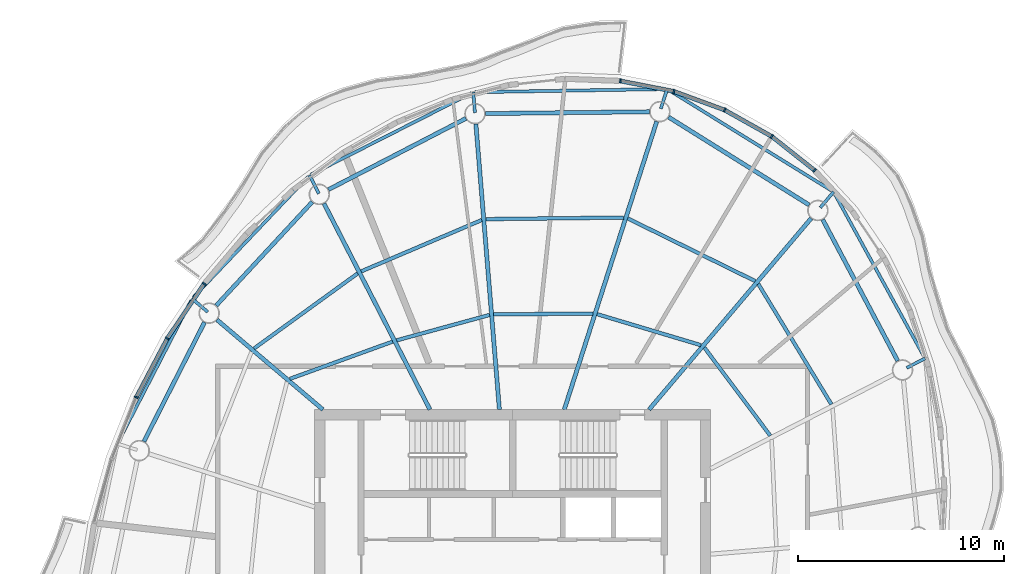
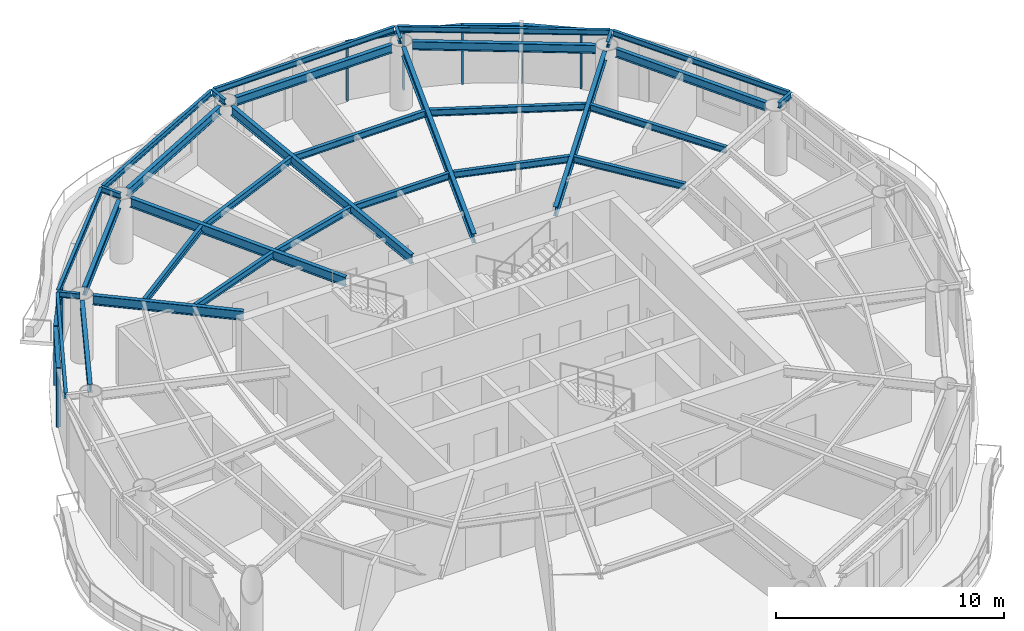
# One storey, part 5 of 13: 33 beams, 14 members, 7 elements without a shape of their own.
"""IFC4 building model written with IfcOpenShell, lengths in metres."""

import ifcopenshell
import ifcopenshell.guid

model = None  # the IFC model being written
_history = None  # IfcOwnerHistory: only IFC2X3 demands one
_inside = {}  # id of a spatial element -> (the spatial element, [elements in it])
_under = {}  # id of a project, library or spatial element -> (it, [spatial elements below it])
_declared = {}  # id of a project -> (the project, [libraries it declares])
_typed = {}  # id of a type object -> (the type object, [elements of that type])
_made_of = {}  # id of a material, layer set ... -> (it, [elements and type objects made of it])


def new_model(schema):
    """Start an empty IFC model of exactly this schema.

    Asked for "IFC4X3", IfcOpenShell would pick the latest addendum, in which some entities
    have other attributes; the version numbers below select the first issue.
    IFC2X3 requires an IfcOwnerHistory on every rooted entity: one is made here for all.
    """
    global model, _history
    if schema == "IFC4X3":
        model = ifcopenshell.file(schema_version=(4, 3, 0, 0))
    else:
        model = ifcopenshell.file(schema=schema)
    _inside.clear()
    _under.clear()
    _declared.clear()
    _typed.clear()
    _made_of.clear()
    _history = None
    if model.schema == "IFC2X3":
        org = make("IfcOrganization", Name="unknown")
        user = make(
            "IfcPersonAndOrganization",
            ThePerson=make("IfcPerson", FamilyName="unknown"),
            TheOrganization=org,
        )
        app = make(
            "IfcApplication",
            ApplicationDeveloper=org,
            Version="unknown",
            ApplicationFullName="unknown",
            ApplicationIdentifier="unknown",
        )
        _history = make(
            "IfcOwnerHistory",
            OwningUser=user,
            OwningApplication=app,
            ChangeAction="ADDED",
            CreationDate=0,
        )
    return model


def make(cls, **values):
    """One entity of the class cls with the attributes given. An attribute that is None is left unset."""
    return model.create_entity(
        cls, **{name: value for name, value in values.items() if value is not None}
    )


def rooted(cls, **values):
    """An entity with a GlobalId (a new one), such as an element, a storey or a relation."""
    return make(cls, GlobalId=ifcopenshell.guid.new(), OwnerHistory=_history, **values)


def si_unit(unit_type, name, prefix=None):
    """IfcSIUnit, for example si_unit("LENGTHUNIT", "METRE", prefix="MILLI")."""
    return make("IfcSIUnit", UnitType=unit_type, Prefix=prefix, Name=name)


def assignment(units):
    """IfcUnitAssignment: the units of a project."""
    return None if units is None else make("IfcUnitAssignment", Units=units)


def point(xyz):
    """IfcCartesianPoint."""
    return None if xyz is None else make("IfcCartesianPoint", Coordinates=xyz)


def direction(xyz):
    """IfcDirection."""
    return None if xyz is None else make("IfcDirection", DirectionRatios=xyz)


def frame(location, z_axis=None, x_axis=None):
    """IfcAxis2Placement3D, a coordinate frame: its origin and axes. An axis left out is left unset."""
    return make(
        "IfcAxis2Placement3D",
        Location=point(location),
        Axis=direction(z_axis),
        RefDirection=direction(x_axis),
    )


def frame_2d(location, x_axis=None):
    """IfcAxis2Placement2D, a coordinate frame in the plane: its origin and x axis."""
    return make(
        "IfcAxis2Placement2D", Location=point(location), RefDirection=direction(x_axis)
    )


def origin():
    """The frame at (0, 0, 0) with its axes left unset."""
    return frame((0.0, 0.0, 0.0))


def origin_2d():
    """The frame at (0, 0) in the plane with its x axis left unset."""
    return frame_2d((0.0, 0.0))


def place(relative_to, where):
    """IfcLocalPlacement: puts the frame where relative to a parent placement (None: the world)."""
    return make(
        "IfcLocalPlacement", PlacementRelTo=relative_to, RelativePlacement=where
    )


def context(
    kind, dimensions, precision=None, world=None, true_north=None, identifier=None
):
    """IfcGeometricRepresentationContext, for example the 3D "Model" context."""
    return make(
        "IfcGeometricRepresentationContext",
        ContextIdentifier=identifier,
        ContextType=kind,
        CoordinateSpaceDimension=dimensions,
        Precision=precision,
        WorldCoordinateSystem=world,
        TrueNorth=true_north,
    )


def subcontext(parent, identifier, kind, view, scale=None):
    """IfcGeometricRepresentationSubContext, for example "Body" below "Model"."""
    return make(
        "IfcGeometricRepresentationSubContext",
        ContextIdentifier=identifier,
        ContextType=kind,
        ParentContext=parent,
        TargetScale=scale,
        TargetView=view,
    )


def project(units=None, contexts=None):
    """IfcProject with its units and contexts."""
    return rooted(
        "IfcProject",
        Name="project",
        RepresentationContexts=contexts,
        UnitsInContext=assignment(units),
    )


def spatial(cls, under=None, at=None, **own):
    """A site, building, storey or space (cls), placed at a placement, below another one or the project."""
    s = rooted(cls, ObjectPlacement=at, **own)
    if under is not None:
        _under.setdefault(under.id(), (under, []))[1].append(s)
    return s


def profile(cls, at=None, kind="AREA", **sizes):
    """A parametric profile (cls). Its sizes go by their IFC names, for example OverallWidth=200.0."""
    return make(cls, ProfileType=kind, Position=at, **sizes)


def rectangle(**sizes):
    """IfcRectangleProfileDef."""
    return profile("IfcRectangleProfileDef", **sizes)


def i_section(**sizes):
    """IfcIShapeProfileDef."""
    return profile("IfcIShapeProfileDef", **sizes)


def extrude(swept, where, along, depth):
    """IfcExtrudedAreaSolid: the profile swept, set in the frame where, extruded along a direction by depth."""
    return make(
        "IfcExtrudedAreaSolid",
        SweptArea=swept,
        Position=where,
        ExtrudedDirection=direction(along),
        Depth=depth,
    )


def shape(context_of_items, identifier, shape_type, items):
    """IfcShapeRepresentation: the items that make up one representation, for example the "Body"."""
    return make(
        "IfcShapeRepresentation",
        ContextOfItems=context_of_items,
        RepresentationIdentifier=identifier,
        RepresentationType=shape_type,
        Items=items,
    )


def material(Name=None, Category=None):
    """IfcMaterial."""
    return make("IfcMaterial", Name=Name, Category=Category)


def material_profile(
    of_material, cross_section, Name=None, Category=None, Priority=None
):
    """IfcMaterialProfile: a cross section and its material."""
    return make(
        "IfcMaterialProfile",
        Name=Name,
        Material=of_material,
        Profile=cross_section,
        Priority=Priority,
        Category=Category,
    )


def profile_set(profiles, Name=None, composite=None):
    """IfcMaterialProfileSet."""
    return make(
        "IfcMaterialProfileSet",
        Name=Name,
        MaterialProfiles=profiles,
        CompositeProfile=composite,
    )


def made_of(thing, what):
    """Note that an element or type object is made of a material, layer set ...; save() writes the relation."""
    if what is not None:
        _made_of.setdefault(what.id(), (what, []))[1].append(thing)
    return thing


def type_object(cls, material=None, **own):
    """A type object (cls), such as IfcWallType, which elements share."""
    return made_of(rooted(cls, **own), material)


def element(
    cls,
    number,
    at=None,
    inside=None,
    cuts=None,
    type_object=None,
    material=None,
    context=None,
    identifier="Body",
    shape_type=None,
    held_by="IfcProductDefinitionShape",
    body=None,
    shapes=None,
    **own,
):
    """One element of the class cls, such as IfcWall. Its Tag is "e" and its number.

    at: its placement. inside: the storey or other place that contains it. cuts: it is an
    opening in that element (IfcRelVoidsElement). A single representation is given by context,
    identifier, shape_type and body (its items); several are given by shapes. held_by: the class
    of the entity that holds the representations. save() writes the other relations.
    """
    e = rooted(cls, Tag="e%d" % number, ObjectPlacement=at, **own)
    if body is not None:
        shapes = [shape(context, identifier, shape_type, body)]
    if shapes is not None:
        e.Representation = make(held_by, Representations=shapes)
    if inside is not None:
        _inside.setdefault(inside.id(), (inside, []))[1].append(e)
    if cuts is not None:
        rooted(
            "IfcRelVoidsElement", RelatingBuildingElement=cuts, RelatedOpeningElement=e
        )
    if type_object is not None:
        _typed.setdefault(type_object.id(), (type_object, []))[1].append(e)
    return made_of(e, material)


def aggregate(whole, parts):
    """IfcRelAggregates: a whole, such as a stair, and the parts it consists of."""
    return rooted("IfcRelAggregates", RelatingObject=whole, RelatedObjects=parts)


def save(model, path):
    """Write the relations noted so far, then the file.

    IfcRelAggregates (storeys below a building ...), IfcRelContainedInSpatialStructure (elements
    in a storey), IfcRelDefinesByType, IfcRelAssociatesMaterial and IfcRelDeclares: one each for
    every whole, place, type object, material and project.
    """
    for whole, parts in _under.values():
        aggregate(whole, parts)
    for where, things in _inside.values():
        rooted(
            "IfcRelContainedInSpatialStructure",
            RelatedElements=things,
            RelatingStructure=where,
        )
    for kind, things in _typed.values():
        rooted("IfcRelDefinesByType", RelatedObjects=things, RelatingType=kind)
    for what, things in _made_of.values():
        rooted("IfcRelAssociatesMaterial", RelatedObjects=things, RelatingMaterial=what)
    for by, libraries in _declared.values():
        rooted("IfcRelDeclares", RelatingContext=by, RelatedDefinitions=libraries)
    model.write(path)


model = new_model("IFC4")

# Units and contexts
model_context = context("Model", 3, precision=1e-05, world=origin(), true_north=direction((0.0, 1.0)))
body_context = subcontext(model_context, "Body", "Model", "MODEL_VIEW")
ifc_project = project(units=[si_unit("LENGTHUNIT", "METRE"), si_unit("AREAUNIT", "SQUARE_METRE"), si_unit("VOLUMEUNIT", "CUBIC_METRE"), si_unit("PLANEANGLEUNIT", "RADIAN"), si_unit("MASSUNIT", "GRAM", prefix="KILO")], contexts=[model_context])

# Site, building, storey
site_placement = place(None, origin())
site = spatial("IfcSite", under=ifc_project, at=site_placement, CompositionType="ELEMENT")
building_placement = place(site_placement, origin())
building = spatial("IfcBuilding", under=site, at=building_placement, Name="Vermilion Reach Broadcast Tower", CompositionType="ELEMENT")
storey_placement = place(building_placement, frame((0.0, 0.0, 293.699951171875)))
storey = spatial("IfcBuildingStorey", under=building, at=storey_placement, Name="L73", CompositionType="ELEMENT", Elevation=293.699951171875)

# Beams
ifc_material_1 = material(Name="Steel S355J2", Category="steel")
ifc_material_profile_1 = material_profile(ifc_material_1, i_section(OverallWidth=0.14990234375, OverallDepth=0.300048828125, WebThickness=0.006591796875, FlangeThickness=0.009033203125, at=origin_2d()), Name="S355J2 HN 300x150x6.5x9")
ifc_profile_set_1 = profile_set([ifc_material_profile_1], Name="Steel S355J2")
beam_type_1 = type_object("IfcBeamType", Name="EB5 HN 300x150x6.5x9", PredefinedType="BEAM", material=ifc_profile_set_1)
beam_1_placement = place(storey_placement, frame((1.41162109375, 23.34375, 3.300048828125), z_axis=(-0.999865186083, -0.016419794745, 0.0), x_axis=(0.016419794745, -0.999865186083, 0.0)))
element("IfcBeam", 1, at=beam_1_placement, inside=storey, type_object=beam_type_1, Name="Edge beam EB5-01", PredefinedType="BEAM", context=body_context, shape_type="SweptSolid", body=[
    extrude(i_section(OverallWidth=0.14990234375, OverallDepth=0.300048828125, WebThickness=0.006591796875, FlangeThickness=0.009033203125, at=origin_2d()), origin(), (0.0, 0.0, 1.0), 9.248291015625),
])
beam_2_placement = place(storey_placement, frame((-7.98291015625, 23.154052734375, 3.300048828125), z_axis=(-0.891743525045, -0.452541142373, 0.0), x_axis=(0.452541142373, -0.891743525045, 0.0)))
element("IfcBeam", 2, at=beam_2_placement, inside=storey, type_object=beam_type_1, Name="Edge beam EB5-02", PredefinedType="BEAM", context=body_context, shape_type="SweptSolid", body=[
    extrude(i_section(OverallWidth=0.14990234375, OverallDepth=0.300048828125, WebThickness=0.006591796875, FlangeThickness=0.009033203125, at=origin_2d()), origin(), (0.0, 0.0, 1.0), 8.748779296875),
])
beam_3_placement = place(storey_placement, frame((-15.90625, 19.103271484375, 3.300048828125), z_axis=(-0.689371520308, -0.724407969992, 0.0), x_axis=(0.724407969992, -0.689371520308, 0.0)))
element("IfcBeam", 3, at=beam_3_placement, inside=storey, type_object=beam_type_1, Name="Edge beam EB5-03", PredefinedType="BEAM", context=body_context, shape_type="SweptSolid", body=[
    extrude(i_section(OverallWidth=0.14990234375, OverallDepth=0.300048828125, WebThickness=0.006591796875, FlangeThickness=0.009033203125, at=origin_2d()), origin(), (0.0, 0.0, 1.0), 8.10400390625),
])
beam_4_placement = place(storey_placement, frame((-21.579833984375, 13.109619140625, 3.300048828125), z_axis=(-0.457912851877, -0.888997086658, 0.0), x_axis=(0.888997086658, -0.457912851877, 0.0)))
element("IfcBeam", 4, at=beam_4_placement, inside=storey, type_object=beam_type_1, Name="Edge beam EB5-04", PredefinedType="BEAM", context=body_context, shape_type="SweptSolid", body=[
    extrude(i_section(OverallWidth=0.14990234375, OverallDepth=0.300048828125, WebThickness=0.006591796875, FlangeThickness=0.009033203125, at=origin_2d()), origin(), (0.0, 0.0, 1.0), 7.753173828125),
])
beam_5_placement = place(storey_placement, frame((13.9609375, 10.34716796875, 3.300048828125), z_axis=(-0.481307136506, 0.87655201805, 0.0), x_axis=(-0.87655201805, -0.481307136506, 0.0)))
element("IfcBeam", 5, at=beam_5_placement, inside=storey, type_object=beam_type_1, Name="Edge beam EB5-15", PredefinedType="BEAM", context=body_context, shape_type="SweptSolid", body=[
    extrude(i_section(OverallWidth=0.14990234375, OverallDepth=0.300048828125, WebThickness=0.006591796875, FlangeThickness=0.009033203125, at=origin_2d()), origin(), (0.0, 0.0, 1.0), 9.057861328125),
])
beam_6_placement = place(storey_placement, frame((9.498046875, 18.397216796875, 3.300048828125), z_axis=(-0.850697910061, 0.525654892318, 0.0), x_axis=(-0.525654892318, -0.850697910061, 0.0)))
element("IfcBeam", 6, at=beam_6_placement, inside=storey, type_object=beam_type_1, Name="Edge beam EB5-16", PredefinedType="BEAM", context=body_context, shape_type="SweptSolid", body=[
    extrude(i_section(OverallWidth=0.14990234375, OverallDepth=0.300048828125, WebThickness=0.006591796875, FlangeThickness=0.009033203125, at=origin_2d()), origin(), (0.0, 0.0, 1.0), 9.33544921875),
])
ifc_material_2 = material(Name="Steel S355J2", Category="steel")
ifc_material_profile_2 = material_profile(ifc_material_2, i_section(OverallWidth=0.199951171875, OverallDepth=0.5, WebThickness=0.010009765625, FlangeThickness=0.01611328125, at=origin_2d()), Name="S355J2 HN 500x200x10x16")
ifc_profile_set_2 = profile_set([ifc_material_profile_2], Name="Steel S355J2")
beam_type_2 = type_object("IfcBeamType", Name="G5 HN 500x200x10x16", PredefinedType="BEAM", material=ifc_profile_set_2)
beam_7_placement = place(storey_placement, frame((-3.497314453125, 7.800048828125, 3.199951171875), z_axis=(0.305545401295, 0.952177508528, 0.0), x_axis=(-0.952177508528, 0.305545401295, 0.0)))
element("IfcBeam", 7, at=beam_7_placement, inside=storey, type_object=beam_type_2, Name="Girder G5-01", PredefinedType="BEAM", context=body_context, shape_type="SweptSolid", body=[
    extrude(i_section(OverallWidth=0.199951171875, OverallDepth=0.5, WebThickness=0.010009765625, FlangeThickness=0.01611328125, at=origin_2d()), origin(), (0.0, 0.0, 1.0), 14.672607421875),
])
beam_8_placement = place(storey_placement, frame((-6.642578125, 7.800048828125, 3.199951171875), z_axis=(-0.082123744247, 0.996622140347, 0.0), x_axis=(-0.996622140347, -0.082123744247, 0.0)))
element("IfcBeam", 8, at=beam_8_placement, inside=storey, type_object=beam_type_2, Name="Girder G5-02", PredefinedType="BEAM", context=body_context, shape_type="SweptSolid", body=[
    extrude(i_section(OverallWidth=0.199951171875, OverallDepth=0.5, WebThickness=0.010009765625, FlangeThickness=0.01611328125, at=origin_2d()), origin(), (0.0, 0.0, 1.0), 13.89794921875),
])
beam_9_placement = place(storey_placement, frame((-10.010498046875, 7.800048828125, 3.199951171875), z_axis=(-0.457258168112, 0.889334002327, 0.0), x_axis=(-0.889334002327, -0.457258168112, 0.0)))
element("IfcBeam", 9, at=beam_9_placement, inside=storey, type_object=beam_type_2, Name="Girder G5-03", PredefinedType="BEAM", context=body_context, shape_type="SweptSolid", body=[
    extrude(i_section(OverallWidth=0.199951171875, OverallDepth=0.5, WebThickness=0.010009765625, FlangeThickness=0.01611328125, at=origin_2d()), origin(), (0.0, 0.0, 1.0), 11.236328125),
])
beam_10_placement = place(storey_placement, frame((-15.20068359375, 7.800048828125, 3.199951171875), z_axis=(-0.762793125612, 0.646642596431, 0.0), x_axis=(-0.646642596431, -0.762793125612, 0.0)))
element("IfcBeam", 10, at=beam_10_placement, inside=storey, type_object=beam_type_2, Name="Girder G5-04", PredefinedType="BEAM", context=body_context, shape_type="SweptSolid", body=[
    extrude(i_section(OverallWidth=0.199951171875, OverallDepth=0.5, WebThickness=0.010009765625, FlangeThickness=0.01611328125, at=origin_2d()), origin(), (0.0, 0.0, 1.0), 6.732421875),
])
beam_11_placement = place(storey_placement, frame((0.612548828125, 7.800048828125, 3.199951171875), z_axis=(0.646658335602, 0.762779782766, 0.0), x_axis=(-0.762779782766, 0.646658335602, 0.0)))
element("IfcBeam", 11, at=beam_11_placement, inside=storey, type_object=beam_type_2, Name="Girder G5-16", PredefinedType="BEAM", context=body_context, shape_type="SweptSolid", body=[
    extrude(i_section(OverallWidth=0.199951171875, OverallDepth=0.5, WebThickness=0.010009765625, FlangeThickness=0.01611328125, at=origin_2d()), origin(), (0.0, 0.0, 1.0), 12.16064453125),
])
ifc_material_3 = material(Name="Steel S355J2", Category="steel")
ifc_material_profile_3 = material_profile(ifc_material_3, i_section(OverallWidth=0.14990234375, OverallDepth=0.300048828125, WebThickness=0.006591796875, FlangeThickness=0.009033203125, at=origin_2d()), Name="S355J2 HN 300x150x6.5x9")
ifc_profile_set_3 = profile_set([ifc_material_profile_3], Name="Steel S355J2")
beam_type_3 = type_object("IfcBeamType", Name="GS5 HN 300x150x6.5x9", PredefinedType="BEAM", material=ifc_profile_set_3)
for number, where, z_axis, x_axis, name in (
    (12, (1.185302734375, 22.392822265625, 3.300048828125), (0.305440085295, 0.952211297084, 0.0), (-0.952211297084, 0.305440085295, 0.0), "Cantilever stub GS5-01"),
    (13, (-7.82861328125, 22.194091796875, 3.300048828125), (-0.082035152054, 0.996629436565, 0.0), (-0.996629436565, -0.082035152054, 0.0), "Cantilever stub GS5-02"),
    (14, (-15.394287109375, 18.271484375, 3.300048828125), (-0.457243204998, 0.889341695572, 0.0), (-0.889341695572, -0.457243204998, 0.0), "Cantilever stub GS5-03"),
):
    element("IfcBeam", number, at=place(storey_placement, frame(where, z_axis=z_axis, x_axis=x_axis)), inside=storey, type_object=beam_type_3, Name=name, PredefinedType="BEAM", context=body_context, shape_type="SweptSolid", body=[
        extrude(i_section(OverallWidth=0.14990234375, OverallDepth=0.300048828125, WebThickness=0.006591796875, FlangeThickness=0.009033203125, at=origin_2d()), origin(), (0.0, 0.0, 1.0), 1.0),
    ])
beam_12_placement = place(storey_placement, frame((-20.78173828125, 12.531494140625, 3.300048828125), z_axis=(-0.762811928474, 0.646620415529, 0.0), x_axis=(-0.646620415529, -0.762811928474, 0.0)))
element("IfcBeam", 15, at=beam_12_placement, inside=storey, type_object=beam_type_3, Name="Cantilever stub GS5-04", PredefinedType="BEAM", context=body_context, shape_type="SweptSolid", body=[
    extrude(i_section(OverallWidth=0.14990234375, OverallDepth=0.300048828125, WebThickness=0.006591796875, FlangeThickness=0.009033203125, at=origin_2d()), origin(), (0.0, 0.0, 1.0), 1.000244140625),
])
beam_13_placement = place(storey_placement, frame((13.107666015625, 9.82421875, 3.300048828125), z_axis=(0.889341695572, 0.457243204998, 0.0), x_axis=(-0.457243204998, 0.889341695572, 0.0)))
element("IfcBeam", 16, at=beam_13_placement, inside=storey, type_object=beam_type_3, Name="Cantilever stub GS5-15", PredefinedType="BEAM", context=body_context, shape_type="SweptSolid", body=[
    extrude(i_section(OverallWidth=0.14990234375, OverallDepth=0.300048828125, WebThickness=0.006591796875, FlangeThickness=0.009033203125, at=origin_2d()), origin(), (0.0, 0.0, 1.0), 1.0),
])
beam_14_placement = place(storey_placement, frame((8.916015625, 17.594482421875, 3.300048828125), z_axis=(0.646620415529, 0.762811928474, 0.0), x_axis=(-0.762811928474, 0.646620415529, 0.0)))
element("IfcBeam", 17, at=beam_14_placement, inside=storey, type_object=beam_type_3, Name="Cantilever stub GS5-16", PredefinedType="BEAM", context=body_context, shape_type="SweptSolid", body=[
    extrude(i_section(OverallWidth=0.14990234375, OverallDepth=0.300048828125, WebThickness=0.006591796875, FlangeThickness=0.009033203125, at=origin_2d()), origin(), (0.0, 0.0, 1.0), 1.000244140625),
])
ifc_material_4 = material(Name="Steel S355J2", Category="steel")
ifc_material_profile_4 = material_profile(ifc_material_4, i_section(OverallWidth=0.199951171875, OverallDepth=0.449951171875, WebThickness=0.009033203125, FlangeThickness=0.013916015625, at=origin_2d()), Name="S355J2 HN 450x200x9x14")
ifc_profile_set_4 = profile_set([ifc_material_profile_4], Name="Steel S355J2")
beam_type_4 = type_object("IfcBeamType", Name="RB5 HN 450x200x9x14", PredefinedType="BEAM", material=ifc_profile_set_4)
beam_15_placement = place(storey_placement, frame((0.638427734375, 22.24169921875, 3.22509765625), z_axis=(-0.999940445231, -0.010913569149, 0.0), x_axis=(0.010913569149, -0.999940445231, 0.0)))
element("IfcBeam", 18, at=beam_15_placement, inside=storey, type_object=beam_type_4, Name="Ring beam RB5-01", PredefinedType="BEAM", context=body_context, shape_type="SweptSolid", body=[
    extrude(i_section(OverallWidth=0.199951171875, OverallDepth=0.449951171875, WebThickness=0.009033203125, FlangeThickness=0.013916015625, at=origin_2d()), origin(), (0.0, 0.0, 1.0), 7.9638671875),
])
beam_16_placement = place(storey_placement, frame((-8.268798828125, 21.91943359375, 3.22509765625), z_axis=(-0.887960248279, -0.459920207729, 0.0), x_axis=(0.459920207729, -0.887960248279, 0.0)))
element("IfcBeam", 19, at=beam_16_placement, inside=storey, type_object=beam_type_4, Name="Ring beam RB5-02", PredefinedType="BEAM", context=body_context, shape_type="SweptSolid", body=[
    extrude(i_section(OverallWidth=0.199951171875, OverallDepth=0.449951171875, WebThickness=0.009033203125, FlangeThickness=0.013916015625, at=origin_2d()), origin(), (0.0, 0.0, 1.0), 7.5048828125),
])
beam_17_placement = place(storey_placement, frame((-15.716796875, 17.87109375, 3.22509765625), z_axis=(-0.679837550075, -0.733362738014, 0.0), x_axis=(0.733362738014, -0.679837550075, 0.0)))
element("IfcBeam", 20, at=beam_17_placement, inside=storey, type_object=beam_type_4, Name="Ring beam RB5-03", PredefinedType="BEAM", context=body_context, shape_type="SweptSolid", body=[
    extrude(i_section(OverallWidth=0.199951171875, OverallDepth=0.449951171875, WebThickness=0.009033203125, FlangeThickness=0.013916015625, at=origin_2d()), origin(), (0.0, 0.0, 1.0), 6.85546875),
])
beam_18_placement = place(storey_placement, frame((-20.944091796875, 12.03125, 3.22509765625), z_axis=(-0.453052302855, -0.891483937532, 0.0), x_axis=(0.891483937532, -0.453052302855, 0.0)))
element("IfcBeam", 21, at=beam_18_placement, inside=storey, type_object=beam_type_4, Name="Ring beam RB5-04", PredefinedType="BEAM", context=body_context, shape_type="SweptSolid", body=[
    extrude(i_section(OverallWidth=0.199951171875, OverallDepth=0.449951171875, WebThickness=0.009033203125, FlangeThickness=0.013916015625, at=origin_2d()), origin(), (0.0, 0.0, 1.0), 6.47900390625),
])
beam_19_placement = place(storey_placement, frame((12.671142578125, 10.161865234375, 3.22509765625), z_axis=(-0.468767917375, 0.883321368269, 0.0), x_axis=(-0.883321368269, -0.468767917375, 0.0)))
element("IfcBeam", 22, at=beam_19_placement, inside=storey, type_object=beam_type_4, Name="Ring beam RB5-15", PredefinedType="BEAM", context=body_context, shape_type="SweptSolid", body=[
    extrude(i_section(OverallWidth=0.199951171875, OverallDepth=0.449951171875, WebThickness=0.009033203125, FlangeThickness=0.013916015625, at=origin_2d()), origin(), (0.0, 0.0, 1.0), 7.759033203125),
])
beam_20_placement = place(storey_placement, frame((8.375732421875, 17.722412109375, 3.22509765625), z_axis=(-0.847914653245, 0.530132757724, 0.0), x_axis=(-0.530132757724, -0.847914653245, 0.0)))
element("IfcBeam", 23, at=beam_20_placement, inside=storey, type_object=beam_type_4, Name="Ring beam RB5-16", PredefinedType="BEAM", context=body_context, shape_type="SweptSolid", body=[
    extrude(i_section(OverallWidth=0.199951171875, OverallDepth=0.449951171875, WebThickness=0.009033203125, FlangeThickness=0.013916015625, at=origin_2d()), origin(), (0.0, 0.0, 1.0), 8.035400390625),
])
ifc_material_5 = material(Name="Steel S355J2", Category="steel")
ifc_material_profile_5 = material_profile(ifc_material_5, i_section(OverallWidth=0.175048828125, OverallDepth=0.35009765625, WebThickness=0.007080078125, FlangeThickness=0.010986328125, at=origin_2d()), Name="S355J2 HN 350x175x7x11")
ifc_profile_set_5 = profile_set([ifc_material_profile_5], Name="Steel S355J2")
beam_type_5 = type_object("IfcBeamType", Name="SB5 HN 350x175x7x11", PredefinedType="BEAM", material=ifc_profile_set_5)
beam_21_placement = place(storey_placement, frame((-2.108154296875, 12.4560546875, 3.275146484375), z_axis=(-0.999968312294, -0.007960804474, 0.0), x_axis=(0.007960804474, -0.999968312294, 0.0)))
element("IfcBeam", 24, at=beam_21_placement, inside=storey, type_object=beam_type_5, Name="Secondary beam SB5-01-1", PredefinedType="BEAM", context=body_context, shape_type="SweptSolid", body=[
    extrude(i_section(OverallWidth=0.175048828125, OverallDepth=0.35009765625, WebThickness=0.007080078125, FlangeThickness=0.010986328125, at=origin_2d()), origin(), (0.0, 0.0, 1.0), 4.81494140625),
])
beam_22_placement = place(storey_placement, frame((-0.614013671875, 17.11279296875, 3.275146484375), z_axis=(-0.999932654133, -0.011605481368, 0.0), x_axis=(0.011605481368, -0.999932654133, 0.0)))
element("IfcBeam", 25, at=beam_22_placement, inside=storey, type_object=beam_type_5, Name="Secondary beam SB5-01-2", PredefinedType="BEAM", context=body_context, shape_type="SweptSolid", body=[
    extrude(i_section(OverallWidth=0.175048828125, OverallDepth=0.35009765625, WebThickness=0.007080078125, FlangeThickness=0.010986328125, at=origin_2d()), origin(), (0.0, 0.0, 1.0), 6.689697265625),
])
beam_23_placement = place(storey_placement, frame((-7.12109375, 12.39013671875, 3.275146484375), z_axis=(-0.964547496851, -0.263909314573, 0.0), x_axis=(0.263909314573, -0.964547496851, 0.0)))
element("IfcBeam", 26, at=beam_23_placement, inside=storey, type_object=beam_type_5, Name="Secondary beam SB5-02-1", PredefinedType="BEAM", context=body_context, shape_type="SweptSolid", body=[
    extrude(i_section(OverallWidth=0.175048828125, OverallDepth=0.35009765625, WebThickness=0.007080078125, FlangeThickness=0.010986328125, at=origin_2d()), origin(), (0.0, 0.0, 1.0), 4.6689453125),
])
beam_24_placement = place(storey_placement, frame((-7.50048828125, 16.99267578125, 3.275146484375), z_axis=(-0.919880986172, -0.392197617637, 0.0), x_axis=(0.392197617637, -0.919880986172, 0.0)))
element("IfcBeam", 27, at=beam_24_placement, inside=storey, type_object=beam_type_5, Name="Secondary beam SB5-02-2", PredefinedType="BEAM", context=body_context, shape_type="SweptSolid", body=[
    extrude(i_section(OverallWidth=0.175048828125, OverallDepth=0.35009765625, WebThickness=0.007080078125, FlangeThickness=0.010986328125, at=origin_2d()), origin(), (0.0, 0.0, 1.0), 6.351806640625),
])
beam_25_placement = place(storey_placement, frame((-11.81787109375, 11.0966796875, 3.275146484375), z_axis=(-0.940220108875, -0.340567389613, 0.0), x_axis=(0.340567389613, -0.940220108875, 0.0)))
element("IfcBeam", 28, at=beam_25_placement, inside=storey, type_object=beam_type_5, Name="Secondary beam SB5-03-1", PredefinedType="BEAM", context=body_context, shape_type="SweptSolid", body=[
    extrude(i_section(OverallWidth=0.175048828125, OverallDepth=0.35009765625, WebThickness=0.007080078125, FlangeThickness=0.010986328125, at=origin_2d()), origin(), (0.0, 0.0, 1.0), 5.303466796875),
])
beam_26_placement = place(storey_placement, frame((-13.517578125, 14.402587890625, 3.275146484375), z_axis=(-0.809771251518, -0.586745703192, 0.0), x_axis=(0.586745703192, -0.809771251518, 0.0)))
element("IfcBeam", 29, at=beam_26_placement, inside=storey, type_object=beam_type_5, Name="Secondary beam SB5-03-2", PredefinedType="BEAM", context=body_context, shape_type="SweptSolid", body=[
    extrude(i_section(OverallWidth=0.175048828125, OverallDepth=0.35009765625, WebThickness=0.007080078125, FlangeThickness=0.010986328125, at=origin_2d()), origin(), (0.0, 0.0, 1.0), 6.20361328125),
])
beam_27_placement = place(storey_placement, frame((6.492919921875, 6.53564453125, 3.275146484375), z_axis=(-0.599055582645, 0.800707442767, 0.0), x_axis=(-0.800707442767, -0.599055582645, 0.0)))
element("IfcBeam", 30, at=beam_27_placement, inside=storey, type_object=beam_type_5, Name="Secondary beam SB5-15-1", PredefinedType="BEAM", context=body_context, shape_type="SweptSolid", body=[
    extrude(i_section(OverallWidth=0.175048828125, OverallDepth=0.35009765625, WebThickness=0.007080078125, FlangeThickness=0.010986328125, at=origin_2d()), origin(), (0.0, 0.0, 1.0), 5.337890625),
])
beam_28_placement = place(storey_placement, frame((9.455078125, 8.058837890625, 3.275146484375), z_axis=(-0.519272962556, 0.854608442714, 0.0), x_axis=(-0.854608442714, -0.519272962556, 0.0)))
element("IfcBeam", 31, at=beam_28_placement, inside=storey, type_object=beam_type_5, Name="Secondary beam SB5-15-2", PredefinedType="BEAM", context=body_context, shape_type="SweptSolid", body=[
    extrude(i_section(OverallWidth=0.175048828125, OverallDepth=0.35009765625, WebThickness=0.007080078125, FlangeThickness=0.010986328125, at=origin_2d()), origin(), (0.0, 0.0, 1.0), 6.82763671875),
])
beam_29_placement = place(storey_placement, frame((3.129150390625, 10.92333984375, 3.275146484375), z_axis=(-0.958124906971, 0.286350593925, 0.0), x_axis=(-0.286350593925, -0.958124906971, 0.0)))
element("IfcBeam", 32, at=beam_29_placement, inside=storey, type_object=beam_type_5, Name="Secondary beam SB5-16-1", PredefinedType="BEAM", context=body_context, shape_type="SweptSolid", body=[
    extrude(i_section(OverallWidth=0.175048828125, OverallDepth=0.35009765625, WebThickness=0.007080078125, FlangeThickness=0.010986328125, at=origin_2d()), origin(), (0.0, 0.0, 1.0), 5.25634765625),
])
beam_30_placement = place(storey_placement, frame((5.762451171875, 14.029541015625, 3.275146484375), z_axis=(-0.897335928087, 0.441348198325, 0.0), x_axis=(-0.441348198325, -0.897335928087, 0.0)))
element("IfcBeam", 33, at=beam_30_placement, inside=storey, type_object=beam_type_5, Name="Secondary beam SB5-16-2", PredefinedType="BEAM", context=body_context, shape_type="SweptSolid", body=[
    extrude(i_section(OverallWidth=0.175048828125, OverallDepth=0.35009765625, WebThickness=0.007080078125, FlangeThickness=0.010986328125, at=origin_2d()), origin(), (0.0, 0.0, 1.0), 6.887451171875),
])

# Curtain wall, member
ifc_material_6 = material(Name="Low-e laminated clear glass in aluminium frame", Category="aluminium")
curtain_wall_type = type_object("IfcCurtainWallType", Name="Slot curtain wall", PredefinedType="NOTDEFINED", material=ifc_material_6)
placement = place(storey_placement, origin())
curtain_wall_1 = element("IfcCurtainWall", 34, at=placement, inside=storey, type_object=curtain_wall_type, Name="Slot curtain wall L73 46", PredefinedType="NOTDEFINED")
ifc_material_7 = material(Name="Anodised aluminium", Category="aluminium")
ifc_material_profile_6 = material_profile(ifc_material_7, rectangle(XDim=0.199951171875, YDim=0.080078125, at=origin_2d()), Name="Slot mullion 80 x 200")
ifc_profile_set_6 = profile_set([ifc_material_profile_6], Name="Anodised aluminium")
member_type_1 = type_object("IfcMemberType", Name="Slot mullion 80 x 200", PredefinedType="MULLION", material=ifc_profile_set_6)
member_1_placement = place(storey_placement, frame((8.638671875, 19.402587890625, 0.0), z_axis=(0.0, 0.0, 1.0), x_axis=(-0.679358210005, -0.733806801889, 0.0)))
member_1 = element("IfcMember", 35, at=member_1_placement, type_object=member_type_1, Name="Slot mullion L73 46", PredefinedType="MULLION", context=body_context, shape_type="SweptSolid", body=[
    extrude(rectangle(XDim=0.199951171875, YDim=0.080078125, at=origin_2d()), origin(), (0.0, 0.0, 1.0), 3.150146484375),
])

curtain_wall_2 = element("IfcCurtainWall", 36, at=placement, inside=storey, type_object=curtain_wall_type, Name="Slot curtain wall L73 47", PredefinedType="NOTDEFINED")
member_2_placement = place(storey_placement, frame((6.565185546875, 21.0439453125, 0.0), z_axis=(0.0, 0.0, 1.0), x_axis=(-0.556714945931, -0.83070359875, 0.0)))
member_2 = element("IfcMember", 37, at=member_2_placement, type_object=member_type_1, Name="Slot mullion L73 47", PredefinedType="MULLION", context=body_context, shape_type="SweptSolid", body=[
    extrude(rectangle(XDim=0.199951171875, YDim=0.080078125, at=origin_2d()), origin(), (0.0, 0.0, 1.0), 3.150146484375),
])

curtain_wall_3 = element("IfcCurtainWall", 38, at=placement, inside=storey, type_object=curtain_wall_type, Name="Slot curtain wall L73 00", PredefinedType="NOTDEFINED")
member_3_placement = place(storey_placement, frame((4.278564453125, 22.326904296875, 0.0), z_axis=(0.0, 0.0, 1.0), x_axis=(-0.4181841801, -0.908362257865, 0.0)))
member_3 = element("IfcMember", 39, at=member_3_placement, type_object=member_type_1, Name="Slot mullion L73 00", PredefinedType="MULLION", context=body_context, shape_type="SweptSolid", body=[
    extrude(rectangle(XDim=0.199951171875, YDim=0.080078125, at=origin_2d()), origin(), (0.0, 0.0, 1.0), 3.150146484375),
])

# Curtain wall, members
curtain_wall_4 = element("IfcCurtainWall", 40, at=placement, inside=storey, type_object=curtain_wall_type, Name="Slot curtain wall L73 01", PredefinedType="NOTDEFINED")
member_4_placement = place(storey_placement, frame((1.817138671875, 23.229736328125, 0.0), z_axis=(0.0, 0.0, 1.0), x_axis=(-0.269106194927, -0.963110510716, 0.0)))
member_4 = element("IfcMember", 41, at=member_4_placement, type_object=member_type_1, Name="Slot mullion L73 01", PredefinedType="MULLION", context=body_context, shape_type="SweptSolid", body=[
    extrude(rectangle(XDim=0.199951171875, YDim=0.080078125, at=origin_2d()), origin(), (0.0, 0.0, 1.0), 3.150146484375),
])
member_5_placement = place(storey_placement, frame((-0.778076171875, 23.73779296875, 0.0), z_axis=(0.0, 0.0, 1.0), x_axis=(-0.115743146595, -0.993279177279, 0.0)))
member_5 = element("IfcMember", 42, at=member_5_placement, type_object=member_type_1, Name="Slot mullion L73 02", PredefinedType="MULLION", context=body_context, shape_type="SweptSolid", body=[
    extrude(rectangle(XDim=0.199951171875, YDim=0.080078125, at=origin_2d()), origin(), (0.0, 0.0, 1.0), 3.150146484375),
])

# Curtain wall, member
curtain_wall_5 = element("IfcCurtainWall", 43, at=placement, inside=storey, type_object=curtain_wall_type, Name="Slot curtain wall L73 10", PredefinedType="NOTDEFINED")
member_6_placement = place(storey_placement, frame((-20.955810546875, 13.9033203125, 0.0), z_axis=(0.0, 0.0, 1.0), x_axis=(0.797362979474, -0.603500023996, 0.0)))
member_6 = element("IfcMember", 44, at=member_6_placement, type_object=member_type_1, Name="Slot mullion L73 10", PredefinedType="MULLION", context=body_context, shape_type="SweptSolid", body=[
    extrude(rectangle(XDim=0.199951171875, YDim=0.080078125, at=origin_2d()), origin(), (0.0, 0.0, 1.0), 3.150146484375),
])

curtain_wall_6 = element("IfcCurtainWall", 45, at=placement, inside=storey, type_object=curtain_wall_type, Name="Slot curtain wall L73 11", PredefinedType="NOTDEFINED")
member_7_placement = place(storey_placement, frame((-22.744873046875, 11.24853515625, 0.0), z_axis=(0.0, 0.0, 1.0), x_axis=(0.858191033058, -0.513330449885, 0.0)))
member_7 = element("IfcMember", 46, at=member_7_placement, type_object=member_type_1, Name="Slot mullion L73 11", PredefinedType="MULLION", context=body_context, shape_type="SweptSolid", body=[
    extrude(rectangle(XDim=0.199951171875, YDim=0.080078125, at=origin_2d()), origin(), (0.0, 0.0, 1.0), 3.150146484375),
])

curtain_wall_7 = element("IfcCurtainWall", 47, at=placement, inside=storey, type_object=curtain_wall_type, Name="Slot curtain wall L73 12", PredefinedType="NOTDEFINED")
member_8_placement = place(storey_placement, frame((-24.246337890625, 8.400146484375, 0.0), z_axis=(0.0, 0.0, 1.0), x_axis=(0.908362263157, -0.418184168606, 0.0)))
member_8 = element("IfcMember", 48, at=member_8_placement, type_object=member_type_1, Name="Slot mullion L73 12", PredefinedType="MULLION", context=body_context, shape_type="SweptSolid", body=[
    extrude(rectangle(XDim=0.199951171875, YDim=0.080078125, at=origin_2d()), origin(), (0.0, 0.0, 1.0), 3.150146484375),
])
aggregate(curtain_wall_7, [member_8])

# Member
ifc_material_8 = material(Name="Anodised aluminium", Category="aluminium")
ifc_material_profile_7 = material_profile(ifc_material_8, rectangle(XDim=0.199951171875, YDim=0.10009765625, at=origin_2d()), Name="Slot transom 200 x 100")
ifc_profile_set_7 = profile_set([ifc_material_profile_7], Name="Anodised aluminium")
member_type_2 = type_object("IfcMemberType", Name="Slot transom 200 x 100", PredefinedType="USERDEFINED", material=ifc_profile_set_7)
member_9_placement = place(storey_placement, frame((8.607421875, 19.427490234375, 3.10009765625), z_axis=(-0.784090217942, 0.620646864269, 0.0), x_axis=(-0.620646864269, -0.784090217942, 0.0)))
member_9 = element("IfcMember", 49, at=member_9_placement, type_object=member_type_2, Name="Slot transom L73 46.1", ObjectType="TRANSOM", PredefinedType="USERDEFINED", context=body_context, shape_type="SweptSolid", body=[
    extrude(rectangle(XDim=0.199951171875, YDim=0.10009765625, at=origin_2d()), origin(), (0.0, 0.0, 1.0), 2.564697265625),
])

aggregate(curtain_wall_1, [member_1, member_9])

member_10_placement = place(storey_placement, frame((6.5302734375, 21.0634765625, 3.10009765625), z_axis=(-0.872129046221, 0.489275920864, 0.0), x_axis=(-0.489275920864, -0.872129046221, 0.0)))
member_10 = element("IfcMember", 50, at=member_10_placement, type_object=member_type_2, Name="Slot transom L73 47.1", ObjectType="TRANSOM", PredefinedType="USERDEFINED", context=body_context, shape_type="SweptSolid", body=[
    extrude(rectangle(XDim=0.199951171875, YDim=0.10009765625, at=origin_2d()), origin(), (0.0, 0.0, 1.0), 2.541748046875),
])

aggregate(curtain_wall_2, [member_2, member_10])

member_11_placement = place(storey_placement, frame((4.240966796875, 22.340576171875, 3.10009765625), z_axis=(-0.938807998255, 0.344440912804, 0.0), x_axis=(-0.344440912804, -0.938807998255, 0.0)))
member_11 = element("IfcMember", 51, at=member_11_placement, type_object=member_type_2, Name="Slot transom L73 00.1", ObjectType="TRANSOM", PredefinedType="USERDEFINED", context=body_context, shape_type="SweptSolid", body=[
    extrude(rectangle(XDim=0.199951171875, YDim=0.10009765625, at=origin_2d()), origin(), (0.0, 0.0, 1.0), 2.541748046875),
])

aggregate(curtain_wall_3, [member_3, member_11])

member_12_placement = place(storey_placement, frame((1.778076171875, 23.237548828125, 3.10009765625), z_axis=(-0.981374321824, 0.192105284842, 0.0), x_axis=(-0.192105284842, -0.981374321824, 0.0)))
member_12 = element("IfcMember", 52, at=member_12_placement, type_object=member_type_2, Name="Slot transom L73 01.1", ObjectType="TRANSOM", PredefinedType="USERDEFINED", context=body_context, shape_type="SweptSolid", body=[
    extrude(rectangle(XDim=0.199951171875, YDim=0.10009765625, at=origin_2d()), origin(), (0.0, 0.0, 1.0), 2.564697265625),
])

aggregate(curtain_wall_4, [member_4, member_5, member_12])

member_13_placement = place(storey_placement, frame((-20.978271484375, 13.8701171875, 3.10009765625), z_axis=(-0.558862816595, -0.829260123379, 0.0), x_axis=(0.829260123379, -0.558862816595, 0.0)))
member_13 = element("IfcMember", 53, at=member_13_placement, type_object=member_type_2, Name="Slot transom L73 10.1", ObjectType="TRANSOM", PredefinedType="USERDEFINED", context=body_context, shape_type="SweptSolid", body=[
    extrude(rectangle(XDim=0.199951171875, YDim=0.10009765625, at=origin_2d()), origin(), (0.0, 0.0, 1.0), 3.121337890625),
])

aggregate(curtain_wall_5, [member_6, member_13])

member_14_placement = place(storey_placement, frame((-22.763671875, 11.213134765625, 3.10009765625), z_axis=(-0.466300751158, -0.884626254115, 0.0), x_axis=(0.884626254115, -0.466300751158, 0.0)))
member_14 = element("IfcMember", 54, at=member_14_placement, type_object=member_type_2, Name="Slot transom L73 11.1", ObjectType="TRANSOM", PredefinedType="USERDEFINED", context=body_context, shape_type="SweptSolid", body=[
    extrude(rectangle(XDim=0.199951171875, YDim=0.10009765625, at=origin_2d()), origin(), (0.0, 0.0, 1.0), 3.139892578125),
])

aggregate(curtain_wall_6, [member_7, member_14])

save(model, "model.ifc")
